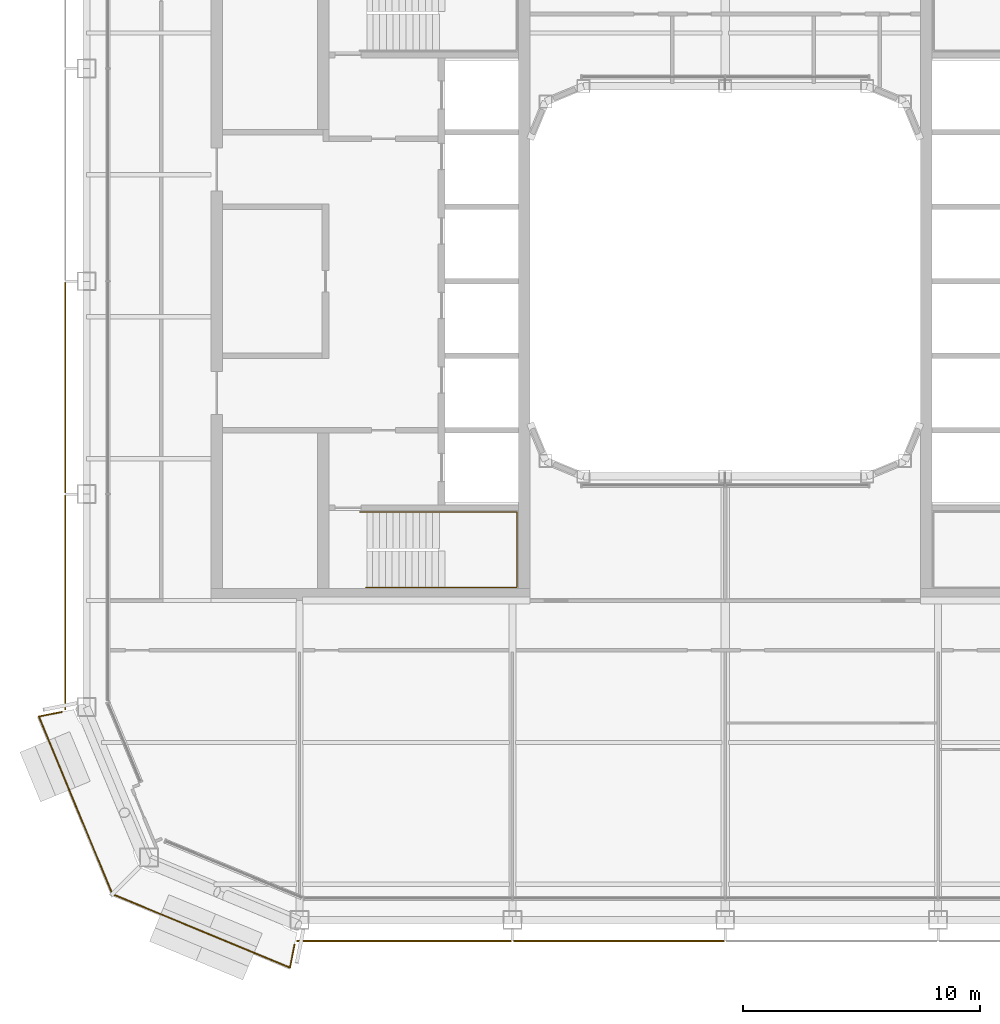
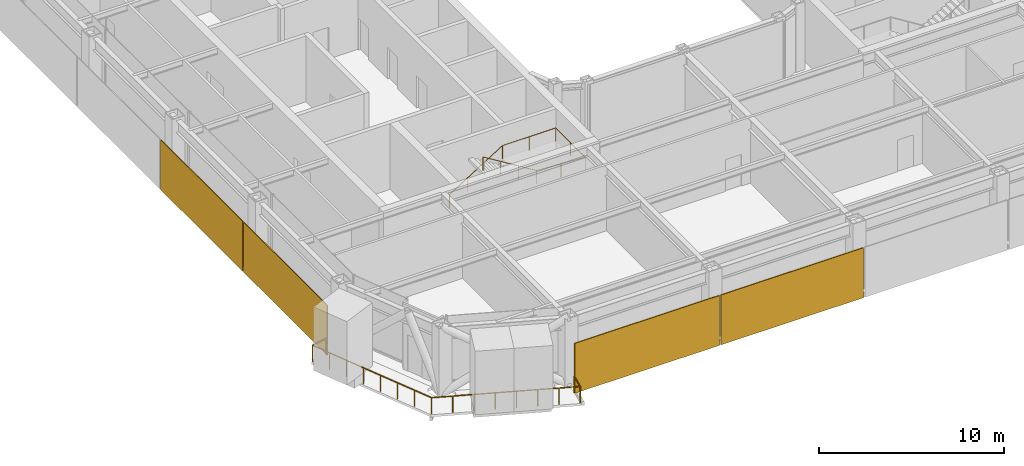
# One storey, part 19 of 23: 4 coverings, 2 railings.
"""IFC4 building model written with IfcOpenShell, lengths in metres."""

from ifc_helpers import new_model, si_unit, direction, frame, origin, origin_2d, place, context, subcontext, project, spatial, rectangle, circle, extrude, material, layer, layer_set, type_object, element, save


model = new_model("IFC4")

# Units and contexts
model_context = context("Model", 3, precision=1e-05, world=origin(), true_north=direction((0.0, 1.0)))
body_context = subcontext(model_context, "Body", "Model", "MODEL_VIEW")
ifc_project = project(units=[si_unit("LENGTHUNIT", "METRE"), si_unit("AREAUNIT", "SQUARE_METRE"), si_unit("VOLUMEUNIT", "CUBIC_METRE"), si_unit("PLANEANGLEUNIT", "RADIAN"), si_unit("MASSUNIT", "GRAM", prefix="KILO")], contexts=[model_context])

# Site, building, storey
site_placement = place(None, origin())
site = spatial("IfcSite", under=ifc_project, at=site_placement, CompositionType="ELEMENT")
building_placement = place(site_placement, origin())
building = spatial("IfcBuilding", under=site, at=building_placement, Name="Siwar Civic Tower", CompositionType="ELEMENT")
storey_placement = place(building_placement, frame((0.0, 0.0, 269.199951171875)))
storey = spatial("IfcBuildingStorey", under=building, at=storey_placement, Name="L58", CompositionType="ELEMENT", Elevation=269.199951171875)

# Railings
ifc_material_1 = material(Name="Stainless steel", Category="steel")
railing_type_1 = type_object("IfcRailingType", Name="CORE-STAIR-HANDRAIL", PredefinedType="HANDRAIL", material=ifc_material_1)
railing_1_placement = place(storey_placement, frame((-15.449951171875, -9.758056640625, 0.173095703125)))
element("IfcRailing", 1, at=railing_1_placement, inside=storey, type_object=railing_type_1, Name="Stair handrail ST2", PredefinedType="HANDRAIL", context=body_context, shape_type="SweptSolid", body=[
    extrude(circle(Radius=0.02001953125, at=origin_2d()), frame((0.0, 0.0, 0.8798828125), z_axis=(0.847063342986, 0.0, 0.531491950051), x_axis=(0.0, 1.0, 0.0)), (0.0, 0.0, 1.0), 3.90771484375),
    extrude(circle(Radius=0.02001953125, at=origin_2d()), frame((3.31005859375, 0.0, 2.956787109375), z_axis=(1.0, 0.0, 0.0), x_axis=(0.0, 1.0, 0.0)), (0.0, 0.0, 1.0), 3.331787109375),
    extrude(circle(Radius=0.02001953125, at=origin_2d()), frame((6.641845703125, 0.0, 2.956787109375), z_axis=(0.0, -1.0, 0.0), x_axis=(1.0, 0.0, 0.0)), (0.0, 0.0, 1.0), 3.183837890625),
    extrude(circle(Radius=0.02001953125, at=origin_2d()), frame((6.641845703125, -3.183837890625, 2.956787109375), z_axis=(-0.99837434197, 0.0, 0.056997134106), x_axis=(0.0, -1.0, 0.0)), (0.0, 0.0, 1.0), 3.036865234375),
    extrude(circle(Radius=0.02001953125, at=origin_2d()), frame((3.60986328125, -3.183837890625, 3.1298828125), z_axis=(-0.850606129759, 0.0, 0.525803396734), x_axis=(0.0, -1.0, 0.0)), (0.0, 0.0, 1.0), 3.949951171875),
    extrude(circle(Radius=0.02001953125, at=origin_2d()), origin(), (0.0, 0.0, 1.0), 0.85986328125),
    extrude(circle(Radius=0.02001953125, at=origin_2d()), frame((1.103271484375, 0.0, 0.6923828125)), (0.0, 0.0, 1.0), 0.85986328125),
    extrude(circle(Radius=0.02001953125, at=origin_2d()), frame((2.206787109375, 0.0, 1.384521484375)), (0.0, 0.0, 1.0), 0.85986328125),
    extrude(circle(Radius=0.02001953125, at=origin_2d()), frame((3.31005859375, 0.0, 2.076904296875)), (0.0, 0.0, 1.0), 0.85986328125),
    extrude(circle(Radius=0.02001953125, at=origin_2d()), frame((4.97607421875, 0.0, 2.076904296875)), (0.0, 0.0, 1.0), 0.85986328125),
    extrude(circle(Radius=0.02001953125, at=origin_2d()), frame((6.641845703125, 0.0, 2.076904296875)), (0.0, 0.0, 1.0), 0.85986328125),
    extrude(circle(Radius=0.02001953125, at=origin_2d()), frame((6.641845703125, -1.591796875, 2.076904296875)), (0.0, 0.0, 1.0), 0.85986328125),
    extrude(circle(Radius=0.02001953125, at=origin_2d()), frame((6.641845703125, -3.183837890625, 2.076904296875)), (0.0, 0.0, 1.0), 0.85986328125),
    extrude(circle(Radius=0.02001953125, at=origin_2d()), frame((5.1259765625, -3.183837890625, 2.16357421875)), (0.0, 0.0, 1.0), 0.85986328125),
    extrude(circle(Radius=0.02001953125, at=origin_2d()), frame((3.60986328125, -3.183837890625, 2.25)), (0.0, 0.0, 1.0), 0.85986328125),
    extrude(circle(Radius=0.02001953125, at=origin_2d()), frame((2.489990234375, -3.183837890625, 2.9423828125)), (0.0, 0.0, 1.0), 0.85986328125),
    extrude(circle(Radius=0.02001953125, at=origin_2d()), frame((1.369873046875, -3.183837890625, 3.634521484375)), (0.0, 0.0, 1.0), 0.85986328125),
    extrude(circle(Radius=0.02001953125, at=origin_2d()), frame((0.25, -3.183837890625, 4.326904296875)), (0.0, 0.0, 1.0), 0.85986328125),
])
ifc_material_2 = material(Name="Stainless steel 316", Category="steel")
railing_type_2 = type_object("IfcRailingType", Name="ENV-GUARD", PredefinedType="GUARDRAIL", material=ifc_material_2)
railing_2_placement = place(storey_placement, frame((-28.047119140625, -18.208251953125, 0.0)))
element("IfcRailing", 2, at=railing_2_placement, inside=storey, type_object=railing_type_2, Name="Balcony guard SW", PredefinedType="GUARDRAIL", context=body_context, shape_type="SweptSolid", body=[
    extrude(circle(Radius=0.02392578125, at=origin_2d()), frame((0.0, 0.0, 1.076171875), z_axis=(-0.980778661911, -0.195123592472, 0.0), x_axis=(0.195123592472, -0.980778661911, 0.0)), (0.0, 0.0, 1.0), 0.993408203125),
    extrude(circle(Radius=0.02392578125, at=origin_2d()), frame((-0.974365234375, -0.19384765625, 1.076171875), z_axis=(0.382176720888, -0.924089256518, 0.0), x_axis=(0.924089256518, 0.382176720888, 0.0)), (0.0, 0.0, 1.0), 8.129638671875),
    extrude(circle(Radius=0.02392578125, at=origin_2d()), frame((2.132568359375, -7.706298828125, 1.076171875), z_axis=(0.924089256518, -0.382176720888, 0.0), x_axis=(0.382176720888, 0.924089256518, 0.0)), (0.0, 0.0, 1.0), 8.129638671875),
    extrude(circle(Radius=0.02392578125, at=origin_2d()), frame((9.64501953125, -10.813232421875, 1.076171875), z_axis=(0.195123592472, 0.980778661911, 0.0), x_axis=(-0.980778661911, 0.195123592472, 0.0)), (0.0, 0.0, 1.0), 0.993408203125),
    extrude(circle(Radius=0.02099609375, at=origin_2d()), origin(), (0.0, 0.0, 1.0), 1.052001953125),
    extrude(circle(Radius=0.02099609375, at=origin_2d()), frame((-0.974365234375, -0.19384765625, 0.0)), (0.0, 0.0, 1.0), 1.052001953125),
    extrude(circle(Radius=0.02099609375, at=origin_2d()), frame((-0.530517578125, -1.26708984375, 0.0)), (0.0, 0.0, 1.0), 1.052001953125),
    extrude(circle(Radius=0.02099609375, at=origin_2d()), frame((-0.086669921875, -2.34033203125, 0.0)), (0.0, 0.0, 1.0), 1.052001953125),
    extrude(circle(Radius=0.02099609375, at=origin_2d()), frame((0.357177734375, -3.41357421875, 0.0)), (0.0, 0.0, 1.0), 1.052001953125),
    extrude(circle(Radius=0.02099609375, at=origin_2d()), frame((0.801025390625, -4.486572265625, 0.0)), (0.0, 0.0, 1.0), 1.052001953125),
    extrude(circle(Radius=0.02099609375, at=origin_2d()), frame((1.244873046875, -5.559814453125, 0.0)), (0.0, 0.0, 1.0), 1.052001953125),
    extrude(circle(Radius=0.02099609375, at=origin_2d()), frame((1.688720703125, -6.633056640625, 0.0)), (0.0, 0.0, 1.0), 1.052001953125),
    extrude(circle(Radius=0.02099609375, at=origin_2d()), frame((2.132568359375, -7.706298828125, 0.0)), (0.0, 0.0, 1.0), 1.052001953125),
    extrude(circle(Radius=0.02099609375, at=origin_2d()), frame((3.205810546875, -8.150146484375, 0.0)), (0.0, 0.0, 1.0), 1.052001953125),
    extrude(circle(Radius=0.02099609375, at=origin_2d()), frame((4.279052734375, -8.593994140625, 0.0)), (0.0, 0.0, 1.0), 1.052001953125),
    extrude(circle(Radius=0.02099609375, at=origin_2d()), frame((5.352294921875, -9.037841796875, 0.0)), (0.0, 0.0, 1.0), 1.052001953125),
    extrude(circle(Radius=0.02099609375, at=origin_2d()), frame((6.42529296875, -9.481689453125, 0.0)), (0.0, 0.0, 1.0), 1.052001953125),
    extrude(circle(Radius=0.02099609375, at=origin_2d()), frame((7.49853515625, -9.925537109375, 0.0)), (0.0, 0.0, 1.0), 1.052001953125),
    extrude(circle(Radius=0.02099609375, at=origin_2d()), frame((8.57177734375, -10.369384765625, 0.0)), (0.0, 0.0, 1.0), 1.052001953125),
    extrude(circle(Radius=0.02099609375, at=origin_2d()), frame((9.64501953125, -10.813232421875, 0.0)), (0.0, 0.0, 1.0), 1.052001953125),
    extrude(circle(Radius=0.02099609375, at=origin_2d()), frame((9.8388671875, -9.8388671875, 0.0)), (0.0, 0.0, 1.0), 1.052001953125),
])

# Coverings
ifc_material_3 = material(Name="Perforated aluminium cassette, pale metal", Category="aluminium")
ifc_layer_1 = layer(ifc_material_3, 0.050048828125)
ifc_layer_set_1 = layer_set([ifc_layer_1], Name="Perforated aluminium cassette, pale metal")
covering_type_1 = type_object("IfcCoveringType", Name="ENV-OUTER SKIN OS-3", PredefinedType="CLADDING", material=ifc_layer_set_1)
covering_1_placement = place(storey_placement, frame((-27.89990234375, -4.5, -0.14990234375), z_axis=(0.0, 0.0, 1.0), x_axis=(0.0, -1.0, 0.0)))
element("IfcCovering", 3, at=covering_1_placement, inside=storey, type_object=covering_type_1, Name="OUTER SKIN OS-3 W 3", PredefinedType="CLADDING", context=body_context, shape_type="SweptSolid", body=[
    extrude(rectangle(XDim=8.89990234375, YDim=0.050048828125, at=origin_2d()), origin(), (0.0, 0.0, 1.0), 3.300048828125),
])
covering_2_placement = place(storey_placement, frame((-27.89990234375, -13.57958984375, -0.14990234375), z_axis=(0.0, 0.0, 1.0), x_axis=(0.0, -1.0, 0.0)))
element("IfcCovering", 4, at=covering_2_placement, inside=storey, type_object=covering_type_1, Name="OUTER SKIN OS-3 W 4", PredefinedType="CLADDING", context=body_context, shape_type="SweptSolid", body=[
    extrude(rectangle(XDim=9.05908203125, YDim=0.050048828125, at=origin_2d()), origin(), (0.0, 0.0, 1.0), 3.300048828125),
])
ifc_material_4 = material(Name="Perforated aluminium cassette, pale metal", Category="aluminium")
ifc_layer_2 = layer(ifc_material_4, 0.054931640625)
ifc_layer_set_2 = layer_set([ifc_layer_2], Name="Perforated aluminium cassette, pale metal")
covering_type_2 = type_object("IfcCoveringType", Name="ENV-OUTER SKIN OS-4", PredefinedType="CLADDING", material=ifc_layer_set_2)
covering_3_placement = place(storey_placement, frame((-13.57958984375, -27.89990234375, -0.14990234375), z_axis=(0.0, 0.0, 1.0), x_axis=(1.0, 0.0, 0.0)))
element("IfcCovering", 5, at=covering_3_placement, inside=storey, type_object=covering_type_2, Name="OUTER SKIN OS-4 S 1", PredefinedType="CLADDING", context=body_context, shape_type="SweptSolid", body=[
    extrude(rectangle(XDim=9.05908203125, YDim=0.054931640625, at=origin_2d()), origin(), (0.0, 0.0, 1.0), 3.300048828125),
])
covering_4_placement = place(storey_placement, frame((-4.5, -27.89990234375, -0.14990234375), z_axis=(0.0, 0.0, 1.0), x_axis=(1.0, 0.0, 0.0)))
element("IfcCovering", 6, at=covering_4_placement, inside=storey, type_object=covering_type_2, Name="OUTER SKIN OS-4 S 2", PredefinedType="CLADDING", context=body_context, shape_type="SweptSolid", body=[
    extrude(rectangle(XDim=8.89990234375, YDim=0.054931640625, at=origin_2d()), origin(), (0.0, 0.0, 1.0), 3.300048828125),
])

save(model, "model.ifc")
